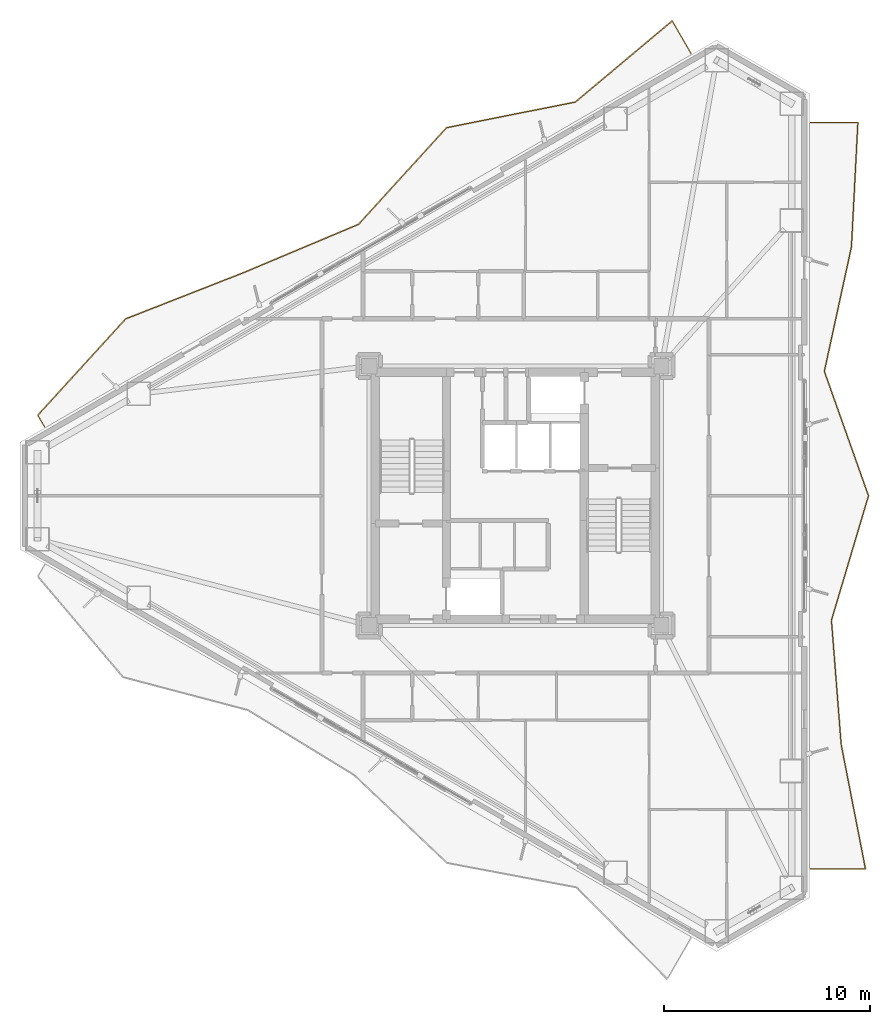
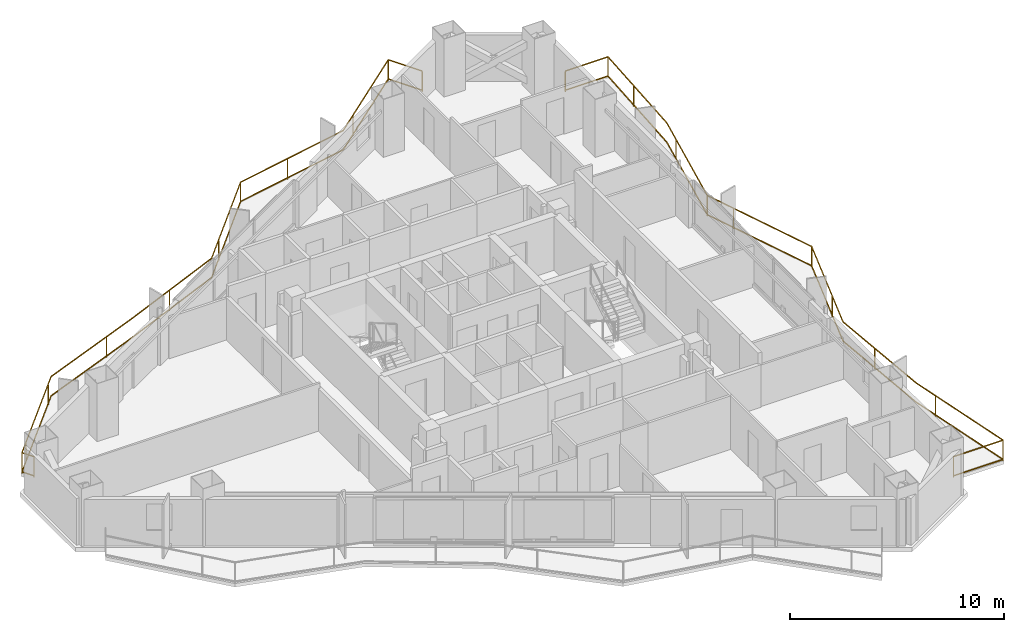
# One storey, part 22 of 22: 2 railings.
"""IFC4 building model written with IfcOpenShell, lengths in metres."""

from ifc_helpers import new_model, si_unit, direction, frame, origin, origin_2d, place, context, subcontext, project, spatial, rectangle, extrude, material, type_object, element, save


model = new_model("IFC4")

# Units and contexts
model_context = context("Model", 3, precision=1e-05, world=origin(), true_north=direction((0.0, 1.0)))
body_context = subcontext(model_context, "Body", "Model", "MODEL_VIEW")
ifc_project = project(units=[si_unit("LENGTHUNIT", "METRE"), si_unit("AREAUNIT", "SQUARE_METRE"), si_unit("VOLUMEUNIT", "CUBIC_METRE"), si_unit("PLANEANGLEUNIT", "RADIAN"), si_unit("MASSUNIT", "GRAM", prefix="KILO")], contexts=[model_context])

# Site, building, storey
site_placement = place(None, origin())
site = spatial("IfcSite", under=ifc_project, at=site_placement, CompositionType="ELEMENT")
building_placement = place(site_placement, origin())
building = spatial("IfcBuilding", under=site, at=building_placement, Name="Mersakhor Tower and Convention Hall", CompositionType="ELEMENT")
storey_placement = place(building_placement, frame((0.0, 0.0, 109.800048828125)))
storey = spatial("IfcBuildingStorey", under=building, at=storey_placement, Name="L30", CompositionType="ELEMENT", Elevation=109.800048828125)

# Railings
ifc_material = material(Name="Powder-coated galvanised steel and laminated glass balustrade", Category="steel")
railing_type = type_object("IfcRailingType", Name="RL-BAL-1200", PredefinedType="BALUSTRADE", material=ifc_material)
railing_1_placement = place(storey_placement, frame((37.541259765625, 48.2333984375, 0.0)))
element("IfcRailing", 1, at=railing_1_placement, inside=storey, type_object=railing_type, Name="L30 Sinusoidal Balcony Balustrade F1", PredefinedType="BALUSTRADE", context=body_context, shape_type="SweptSolid", body=[
    extrude(rectangle(XDim=0.048095703125, YDim=0.048095703125, at=origin_2d()), frame((0.0, 0.0, 1.17578125), z_axis=(-0.499995531332, 0.866027983755, 0.0), x_axis=(-0.866027983755, -0.499995531332, 0.0)), (0.0, 0.0, 1.0), 1.83154296875),
    extrude(rectangle(XDim=0.048095703125, YDim=0.048095703125, at=origin_2d()), frame((0.0, 0.0, 0.080078125), z_axis=(-0.499995531332, 0.866027983755, 0.0), x_axis=(-0.866027983755, -0.499995531332, 0.0)), (0.0, 0.0, 1.0), 1.83154296875),
    extrude(rectangle(XDim=0.048095703125, YDim=0.048095703125, at=origin_2d()), frame((-0.915771484375, 1.586181640625, 1.17578125), z_axis=(-0.766569161502, -0.642161755817, 0.0), x_axis=(0.642161755817, -0.766569161502, 0.0)), (0.0, 0.0, 1.0), 6.138427734375),
    extrude(rectangle(XDim=0.048095703125, YDim=0.048095703125, at=origin_2d()), frame((-0.915771484375, 1.586181640625, 0.080078125), z_axis=(-0.766569161502, -0.642161755817, 0.0), x_axis=(0.642161755817, -0.766569161502, 0.0)), (0.0, 0.0, 1.0), 6.138427734375),
    extrude(rectangle(XDim=0.048095703125, YDim=0.048095703125, at=origin_2d()), frame((-5.621337890625, -2.355712890625, 1.17578125), z_axis=(-0.98069816474, -0.195527772132, 0.0), x_axis=(0.195527772132, -0.98069816474, 0.0)), (0.0, 0.0, 1.0), 6.38427734375),
    extrude(rectangle(XDim=0.048095703125, YDim=0.048095703125, at=origin_2d()), frame((-5.621337890625, -2.355712890625, 0.080078125), z_axis=(-0.98069816474, -0.195527772132, 0.0), x_axis=(0.195527772132, -0.98069816474, 0.0)), (0.0, 0.0, 1.0), 6.38427734375),
    extrude(rectangle(XDim=0.048095703125, YDim=0.048095703125, at=origin_2d()), frame((-11.88232421875, -3.60400390625, 1.17578125), z_axis=(-0.67320686299, -0.739454203871, 0.0), x_axis=(0.739454203871, -0.67320686299, 0.0)), (0.0, 0.0, 1.0), 6.345947265625),
    extrude(rectangle(XDim=0.048095703125, YDim=0.048095703125, at=origin_2d()), frame((-11.88232421875, -3.60400390625, 0.080078125), z_axis=(-0.67320686299, -0.739454203871, 0.0), x_axis=(0.739454203871, -0.67320686299, 0.0)), (0.0, 0.0, 1.0), 6.345947265625),
    extrude(rectangle(XDim=0.048095703125, YDim=0.048095703125, at=origin_2d()), frame((-16.154541015625, -8.296630859375, 1.17578125), z_axis=(-0.921868218701, -0.387503532048, 0.0), x_axis=(0.387503532048, -0.921868218701, 0.0)), (0.0, 0.0, 1.0), 6.09423828125),
    extrude(rectangle(XDim=0.048095703125, YDim=0.048095703125, at=origin_2d()), frame((-16.154541015625, -8.296630859375, 0.080078125), z_axis=(-0.921868218701, -0.387503532048, 0.0), x_axis=(0.387503532048, -0.921868218701, 0.0)), (0.0, 0.0, 1.0), 6.09423828125),
    extrude(rectangle(XDim=0.048095703125, YDim=0.048095703125, at=origin_2d()), frame((-21.772705078125, -10.658203125, 1.17578125), z_axis=(-0.931093676264, -0.364780161222, 0.0), x_axis=(0.364780161222, -0.931093676264, 0.0)), (0.0, 0.0, 1.0), 6.115234375),
    extrude(rectangle(XDim=0.048095703125, YDim=0.048095703125, at=origin_2d()), frame((-21.772705078125, -10.658203125, 0.080078125), z_axis=(-0.931093676264, -0.364780161222, 0.0), x_axis=(0.364780161222, -0.931093676264, 0.0)), (0.0, 0.0, 1.0), 6.115234375),
    extrude(rectangle(XDim=0.048095703125, YDim=0.048095703125, at=origin_2d()), frame((-27.466552734375, -12.888916015625, 1.17578125), z_axis=(-0.673960882084, -0.738767033253, 0.0), x_axis=(0.738767033253, -0.673960882084, 0.0)), (0.0, 0.0, 1.0), 6.343994140625),
    extrude(rectangle(XDim=0.048095703125, YDim=0.048095703125, at=origin_2d()), frame((-27.466552734375, -12.888916015625, 0.080078125), z_axis=(-0.673960882084, -0.738767033253, 0.0), x_axis=(0.738767033253, -0.673960882084, 0.0)), (0.0, 0.0, 1.0), 6.343994140625),
    extrude(rectangle(XDim=0.048095703125, YDim=0.048095703125, at=origin_2d()), frame((-31.7421875, -17.57568359375, 1.17578125), z_axis=(0.49989585183, -0.866085525409, 0.0), x_axis=(0.866085525409, 0.49989585183, 0.0)), (0.0, 0.0, 1.0), 0.650146484375),
    extrude(rectangle(XDim=0.048095703125, YDim=0.048095703125, at=origin_2d()), frame((-31.7421875, -17.57568359375, 0.080078125), z_axis=(0.49989585183, -0.866085525409, 0.0), x_axis=(0.866085525409, 0.49989585183, 0.0)), (0.0, 0.0, 1.0), 0.650146484375),
    extrude(rectangle(XDim=0.0419921875, YDim=0.0419921875, at=origin_2d()), origin(), (0.0, 0.0, 1.0), 1.15185546875),
    extrude(rectangle(XDim=0.0419921875, YDim=0.0419921875, at=origin_2d()), frame((-0.915771484375, 1.586181640625, 0.0)), (0.0, 0.0, 1.0), 1.15185546875),
    extrude(rectangle(XDim=0.0419921875, YDim=0.0419921875, at=origin_2d()), frame((-4.59521484375, -1.49609375, 0.0)), (0.0, 0.0, 1.0), 1.15185546875),
    extrude(rectangle(XDim=0.0419921875, YDim=0.0419921875, at=origin_2d()), frame((-9.01611328125, -3.032470703125, 0.0)), (0.0, 0.0, 1.0), 1.15185546875),
    extrude(rectangle(XDim=0.0419921875, YDim=0.0419921875, at=origin_2d()), frame((-11.88232421875, -3.60400390625, 0.0)), (0.0, 0.0, 1.0), 1.15185546875),
    extrude(rectangle(XDim=0.0419921875, YDim=0.0419921875, at=origin_2d()), frame((-15.11376953125, -7.1533203125, 0.0)), (0.0, 0.0, 1.0), 1.15185546875),
    extrude(rectangle(XDim=0.0419921875, YDim=0.0419921875, at=origin_2d()), frame((-19.154296875, -9.5576171875, 0.0)), (0.0, 0.0, 1.0), 1.15185546875),
    extrude(rectangle(XDim=0.0419921875, YDim=0.0419921875, at=origin_2d()), frame((-23.59716796875, -11.373046875, 0.0)), (0.0, 0.0, 1.0), 1.15185546875),
    extrude(rectangle(XDim=0.0419921875, YDim=0.0419921875, at=origin_2d()), frame((-27.90087890625, -13.364990234375, 0.0)), (0.0, 0.0, 1.0), 1.15185546875),
    extrude(rectangle(XDim=0.0419921875, YDim=0.0419921875, at=origin_2d()), frame((-31.1357421875, -16.9111328125, 0.0)), (0.0, 0.0, 1.0), 1.15185546875),
    extrude(rectangle(XDim=0.0419921875, YDim=0.0419921875, at=origin_2d()), frame((-31.7421875, -17.57568359375, 0.0)), (0.0, 0.0, 1.0), 1.15185546875),
    extrude(rectangle(XDim=0.0419921875, YDim=0.0419921875, at=origin_2d()), frame((-31.417236328125, -18.138671875, 0.0)), (0.0, 0.0, 1.0), 1.15185546875),
])
railing_2_placement = place(storey_placement, frame((43.334716796875, 8.611328125, 0.0)))
element("IfcRailing", 2, at=railing_2_placement, inside=storey, type_object=railing_type, Name="L30 Sinusoidal Balcony Balustrade F2", PredefinedType="BALUSTRADE", context=body_context, shape_type="SweptSolid", body=[
    extrude(rectangle(XDim=0.048095703125, YDim=0.048095703125, at=origin_2d()), frame((0.0, 0.0, 1.17578125), z_axis=(1.0, 0.0, 0.0), x_axis=(0.0, 1.0, 0.0)), (0.0, 0.0, 1.0), 2.67578125),
    extrude(rectangle(XDim=0.048095703125, YDim=0.048095703125, at=origin_2d()), frame((0.0, 0.0, 0.080078125), z_axis=(1.0, 0.0, 0.0), x_axis=(0.0, 1.0, 0.0)), (0.0, 0.0, 1.0), 2.67578125),
    extrude(rectangle(XDim=0.048095703125, YDim=0.048095703125, at=origin_2d()), frame((2.67578125, 0.0, 1.17578125), z_axis=(-0.191846483694, 0.981424947051, 0.0), x_axis=(-0.981424947051, -0.191846483694, 0.0)), (0.0, 0.0, 1.0), 6.16064453125),
    extrude(rectangle(XDim=0.048095703125, YDim=0.048095703125, at=origin_2d()), frame((2.67578125, 0.0, 0.080078125), z_axis=(-0.191846483694, 0.981424947051, 0.0), x_axis=(-0.981424947051, -0.191846483694, 0.0)), (0.0, 0.0, 1.0), 6.16064453125),
    extrude(rectangle(XDim=0.048095703125, YDim=0.048095703125, at=origin_2d()), frame((1.493896484375, 6.046142578125, 1.17578125), z_axis=(-0.078053960037, 0.996949135775, 0.0), x_axis=(-0.996949135775, -0.078053960037, 0.0)), (0.0, 0.0, 1.0), 6.06494140625),
    extrude(rectangle(XDim=0.048095703125, YDim=0.048095703125, at=origin_2d()), frame((1.493896484375, 6.046142578125, 0.080078125), z_axis=(-0.078053960037, 0.996949135775, 0.0), x_axis=(-0.996949135775, -0.078053960037, 0.0)), (0.0, 0.0, 1.0), 6.06494140625),
    extrude(rectangle(XDim=0.048095703125, YDim=0.048095703125, at=origin_2d()), frame((1.0205078125, 12.092529296875, 1.17578125), z_axis=(0.285234548503, 0.958457746768, 0.0), x_axis=(-0.958457746768, 0.285234548503, 0.0)), (0.0, 0.0, 1.0), 6.30810546875),
    extrude(rectangle(XDim=0.048095703125, YDim=0.048095703125, at=origin_2d()), frame((1.0205078125, 12.092529296875, 0.080078125), z_axis=(0.285234548503, 0.958457746768, 0.0), x_axis=(-0.958457746768, 0.285234548503, 0.0)), (0.0, 0.0, 1.0), 6.30810546875),
    extrude(rectangle(XDim=0.048095703125, YDim=0.048095703125, at=origin_2d()), frame((2.81982421875, 18.138671875, 1.17578125), z_axis=(-0.334356419086, 0.942446701419, 0.0), x_axis=(-0.942446701419, -0.334356419086, 0.0)), (0.0, 0.0, 1.0), 6.415283203125),
    extrude(rectangle(XDim=0.048095703125, YDim=0.048095703125, at=origin_2d()), frame((2.81982421875, 18.138671875, 0.080078125), z_axis=(-0.334356419086, 0.942446701419, 0.0), x_axis=(-0.942446701419, -0.334356419086, 0.0)), (0.0, 0.0, 1.0), 6.415283203125),
    extrude(rectangle(XDim=0.048095703125, YDim=0.048095703125, at=origin_2d()), frame((0.6748046875, 24.184814453125, 1.17578125), z_axis=(0.212809630715, 0.977093680808, 0.0), x_axis=(-0.977093680808, 0.212809630715, 0.0)), (0.0, 0.0, 1.0), 6.188232421875),
    extrude(rectangle(XDim=0.048095703125, YDim=0.048095703125, at=origin_2d()), frame((0.6748046875, 24.184814453125, 0.080078125), z_axis=(0.212809630715, 0.977093680808, 0.0), x_axis=(-0.977093680808, 0.212809630715, 0.0)), (0.0, 0.0, 1.0), 6.188232421875),
    extrude(rectangle(XDim=0.048095703125, YDim=0.048095703125, at=origin_2d()), frame((1.99169921875, 30.231201171875, 1.17578125), z_axis=(0.051737601267, 0.998660713463, 0.0), x_axis=(-0.998660713463, 0.051737601267, 0.0)), (0.0, 0.0, 1.0), 6.05419921875),
    extrude(rectangle(XDim=0.048095703125, YDim=0.048095703125, at=origin_2d()), frame((1.99169921875, 30.231201171875, 0.080078125), z_axis=(0.051737601267, 0.998660713463, 0.0), x_axis=(-0.998660713463, 0.051737601267, 0.0)), (0.0, 0.0, 1.0), 6.05419921875),
    extrude(rectangle(XDim=0.048095703125, YDim=0.048095703125, at=origin_2d()), frame((2.304931640625, 36.27734375, 1.17578125), z_axis=(-1.0, 0.0, 0.0), x_axis=(0.0, -1.0, 0.0)), (0.0, 0.0, 1.0), 2.304931640625),
    extrude(rectangle(XDim=0.048095703125, YDim=0.048095703125, at=origin_2d()), frame((2.304931640625, 36.27734375, 0.080078125), z_axis=(-1.0, 0.0, 0.0), x_axis=(0.0, -1.0, 0.0)), (0.0, 0.0, 1.0), 2.304931640625),
    extrude(rectangle(XDim=0.0419921875, YDim=0.0419921875, at=origin_2d()), origin(), (0.0, 0.0, 1.0), 1.15185546875),
    extrude(rectangle(XDim=0.0419921875, YDim=0.0419921875, at=origin_2d()), frame((2.67578125, 0.0, 0.0)), (0.0, 0.0, 1.0), 1.15185546875),
    extrude(rectangle(XDim=0.0419921875, YDim=0.0419921875, at=origin_2d()), frame((1.7548828125, 4.7109375, 0.0)), (0.0, 0.0, 1.0), 1.15185546875),
    extrude(rectangle(XDim=0.0419921875, YDim=0.0419921875, at=origin_2d()), frame((1.225341796875, 9.47509765625, 0.0)), (0.0, 0.0, 1.0), 1.15185546875),
    extrude(rectangle(XDim=0.0419921875, YDim=0.0419921875, at=origin_2d()), frame((1.640869140625, 14.1767578125, 0.0)), (0.0, 0.0, 1.0), 1.15185546875),
    extrude(rectangle(XDim=0.0419921875, YDim=0.0419921875, at=origin_2d()), frame((2.81982421875, 18.138671875, 0.0)), (0.0, 0.0, 1.0), 1.15185546875),
    extrude(rectangle(XDim=0.0419921875, YDim=0.0419921875, at=origin_2d()), frame((1.21484375, 22.662353515625, 0.0)), (0.0, 0.0, 1.0), 1.15185546875),
    extrude(rectangle(XDim=0.0419921875, YDim=0.0419921875, at=origin_2d()), frame((0.6748046875, 24.184814453125, 0.0)), (0.0, 0.0, 1.0), 1.15185546875),
    extrude(rectangle(XDim=0.0419921875, YDim=0.0419921875, at=origin_2d()), frame((1.6962890625, 28.874755859375, 0.0)), (0.0, 0.0, 1.0), 1.15185546875),
    extrude(rectangle(XDim=0.0419921875, YDim=0.0419921875, at=origin_2d()), frame((2.168212890625, 33.638427734375, 0.0)), (0.0, 0.0, 1.0), 1.15185546875),
    extrude(rectangle(XDim=0.0419921875, YDim=0.0419921875, at=origin_2d()), frame((2.304931640625, 36.27734375, 0.0)), (0.0, 0.0, 1.0), 1.15185546875),
    extrude(rectangle(XDim=0.0419921875, YDim=0.0419921875, at=origin_2d()), frame((0.0, 36.27734375, 0.0)), (0.0, 0.0, 1.0), 1.15185546875),
])

save(model, "model.ifc")
